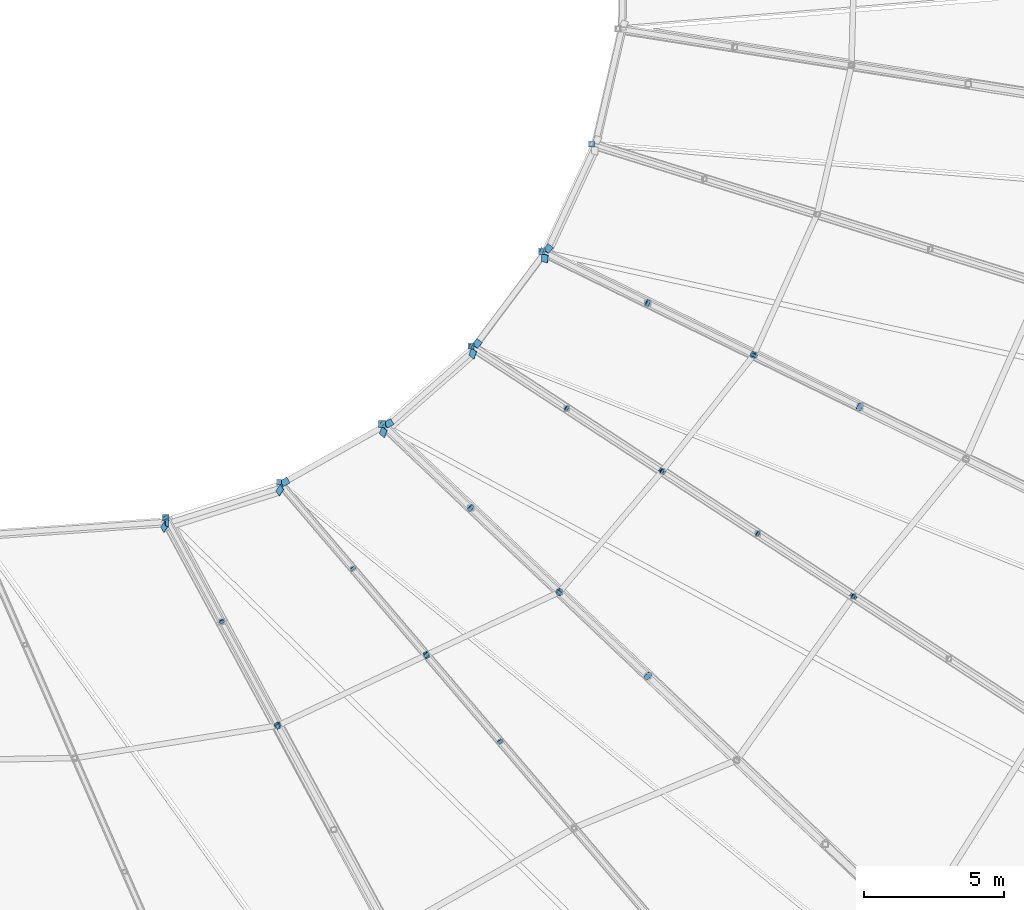
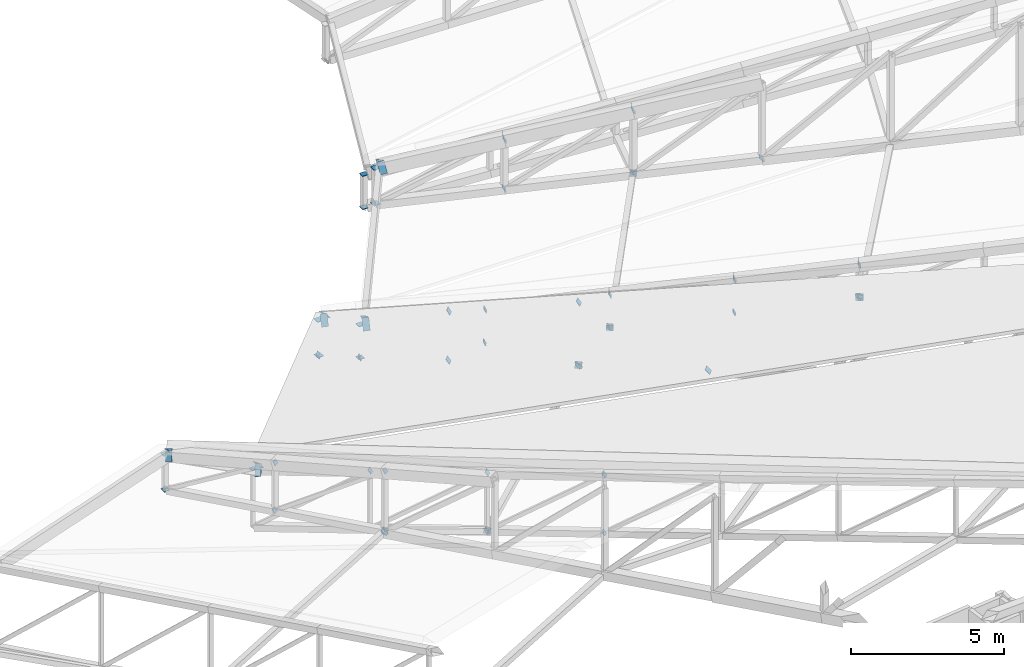
# One storey, part 298 of 344: 64 discrete accessories.
"""IFC4 building model written with IfcOpenShell, lengths in metres."""

from ifc_helpers import new_model, si_unit, direction, frame, origin, origin_2d, place, context, subcontext, project, spatial, rectangle, extrude, material, material_profile, profile_set, type_object, element, save


model = new_model("IFC4")

# Units and contexts
model_context = context("Model", 3, precision=1e-05, world=origin(), true_north=direction((0.0, 1.0)))
body_context = subcontext(model_context, "Body", "Model", "MODEL_VIEW")
ifc_project = project(units=[si_unit("LENGTHUNIT", "METRE"), si_unit("AREAUNIT", "SQUARE_METRE"), si_unit("VOLUMEUNIT", "CUBIC_METRE"), si_unit("PLANEANGLEUNIT", "RADIAN"), si_unit("MASSUNIT", "GRAM", prefix="KILO")], contexts=[model_context])

# Site, building, storey
site_placement = place(None, origin())
site = spatial("IfcSite", under=ifc_project, at=site_placement, CompositionType="ELEMENT")
building_placement = place(site_placement, origin())
building = spatial("IfcBuilding", under=site, at=building_placement, Name="Meseta Stadium", CompositionType="ELEMENT")
storey_placement = place(building_placement, frame((0.0, 0.0, 24.0)))
storey = spatial("IfcBuildingStorey", under=building, at=storey_placement, Name="L04", CompositionType="ELEMENT", Elevation=24.0)

# Discrete accessories
ifc_material_1 = material(Name="Steel S355", Category="steel")
ifc_material_profile_1 = material_profile(ifc_material_1, rectangle(XDim=0.179931640625, YDim=0.179931640625, at=origin_2d()), Name="PL 180x180")
ifc_profile_set_1 = profile_set([ifc_material_profile_1], Name="Steel S355")
discrete_accessory_type_1 = type_object("IfcDiscreteAccessoryType", Name="End plate 180x180x20", PredefinedType="ANCHORPLATE", material=ifc_profile_set_1)
for number, where, z_axis, x_axis, name in (
    (1, (30.674072265625, -65.08544921875, 1.933837890625), (0.404398403532, -0.74752432168, 0.526943374299), (0.879543446111, 0.475818585601, 0.0), "End plate of ROOF TRUSS RT-50 diagonal"),
    (2, (32.68212890625, -68.813232421875, 4.560791015625), (0.401782273078, -0.742688444175, 0.535709697438), (0.879543446111, 0.475818585601, 0.0), "End plate of ROOF TRUSS RT-50 diagonal"),
    (3, (32.674560546875, -68.799072265625, 2.64599609375), (0.377992569235, -0.707211903729, 0.597472125565), (0.881931668673, 0.471377271187, 0.0), "End plate of ROOF TRUSS RT-50 diagonal"),
    (4, (34.68212890625, -72.526123046875, 5.77734375), (0.388371251002, -0.703922892442, 0.594693478097), (0.875577684027, 0.483077342911, 0.0), "End plate of ROOF TRUSS RT-50 diagonal"),
    (5, (34.722412109375, -63.827392578125, 0.56640625), (0.0, 0.0, 1.0), (1.0, 0.0, 0.0), "End plate of ROOF TRUSS RT-51 post"),
    (6, (37.35693359375, -66.916748046875, 1.43896484375), (0.514457157149, -0.600200016674, 0.612448996606), (0.759256602365, 0.650791373456, 0.0), "End plate of ROOF TRUSS RT-51 diagonal"),
):
    element("IfcDiscreteAccessory", number, at=place(storey_placement, frame(where, z_axis=z_axis, x_axis=x_axis)), inside=storey, type_object=discrete_accessory_type_1, Name=name, PredefinedType="ANCHORPLATE", context=body_context, shape_type="SweptSolid", body=[
        extrude(rectangle(XDim=0.179931640625, YDim=0.179931640625, at=origin_2d()), origin(), (0.0, 0.0, 1.0), 0.02001953125),
    ])
discrete_accessory_1_placement = place(storey_placement, frame((39.99169921875, -70.005859375, 2.311279296875), z_axis=(0.506907853303, -0.603461730123, 0.615530964726), x_axis=(0.76570486479, 0.643192086423, 0.0)))
element("IfcDiscreteAccessory", 7, at=discrete_accessory_1_placement, inside=storey, type_object=discrete_accessory_type_1, Name="End plate of ROOF TRUSS RT-51 diagonal", PredefinedType="ANCHORPLATE", context=body_context, shape_type="SweptSolid", body=[
    extrude(rectangle(XDim=0.179931640625, YDim=0.179931640625, at=origin_2d()), origin(), (0.0, 0.0, 1.0), 0.020263671875),
])
for number, where, z_axis, x_axis, name in (
    (8, (39.9814453125, -69.993896484375, -0.0009765625), (0.514457157149, -0.600200016674, 0.612448996606), (0.759256602365, 0.650791373456, 0.0), "End plate of ROOF TRUSS RT-51 diagonal"),
    (9, (42.626220703125, -73.09521484375, 3.183837890625), (0.514457157149, -0.600200016674, 0.612448996606), (0.759256602365, 0.650791373456, 0.0), "End plate of ROOF TRUSS RT-51 diagonal"),
    (10, (42.615966796875, -73.083251953125, 0.871337890625), (0.510602919511, -0.595703406096, 0.620017830835), (0.759256602365, 0.650791373456, 0.0), "End plate of ROOF TRUSS RT-51 diagonal"),
    (11, (41.564697265625, -58.953857421875, -0.34033203125), (0.745790378384, -0.489042871072, 0.452364655741), (0.54835696222, 0.836244367386, 0.0), "End plate of ROOF TRUSS RT-53 diagonal"),
):
    element("IfcDiscreteAccessory", number, at=place(storey_placement, frame(where, z_axis=z_axis, x_axis=x_axis)), inside=storey, type_object=discrete_accessory_type_1, Name=name, PredefinedType="ANCHORPLATE", context=body_context, shape_type="SweptSolid", body=[
        extrude(rectangle(XDim=0.179931640625, YDim=0.179931640625, at=origin_2d()), origin(), (0.0, 0.0, 1.0), 0.02001953125),
    ])
discrete_accessory_2_placement = place(storey_placement, frame((44.994140625, -61.199951171875, 1.727783203125), z_axis=(0.751142776324, -0.48460824279, 0.448262624581), x_axis=(0.542126869822, 0.840296648224, 0.0)))
element("IfcDiscreteAccessory", 12, at=discrete_accessory_2_placement, inside=storey, type_object=discrete_accessory_type_1, Name="End plate of ROOF TRUSS RT-53 diagonal", PredefinedType="ANCHORPLATE", context=body_context, shape_type="SweptSolid", body=[
    extrude(rectangle(XDim=0.179931640625, YDim=0.179931640625, at=origin_2d()), origin(), (0.0, 0.0, 1.0), 0.020263671875),
])
for number, where, z_axis, x_axis, name in (
    (13, (44.979248046875, -61.190185546875, 0.4189453125), (0.745790378384, -0.489042871072, 0.452364655741), (0.54835696222, 0.836244367386, 0.0), "End plate of ROOF TRUSS RT-53 diagonal"),
    (14, (48.408935546875, -63.4365234375, 2.487060546875), (0.745790378384, -0.489042871072, 0.452364655741), (0.54835696222, 0.836244367386, 0.0), "End plate of ROOF TRUSS RT-53 diagonal"),
    (15, (48.39404296875, -63.426513671875, 1.177978515625), (0.741316092871, -0.498261636192, 0.449650744856), (0.557836036894, 0.829951176842, 0.0), "End plate of ROOF TRUSS RT-53 diagonal"),
):
    element("IfcDiscreteAccessory", number, at=place(storey_placement, frame(where, z_axis=z_axis, x_axis=x_axis)), inside=storey, type_object=discrete_accessory_type_1, Name=name, PredefinedType="ANCHORPLATE", context=body_context, shape_type="SweptSolid", body=[
        extrude(rectangle(XDim=0.179931640625, YDim=0.179931640625, at=origin_2d()), origin(), (0.0, 0.0, 1.0), 0.02001953125),
    ])
discrete_accessory_3_placement = place(storey_placement, frame((51.82373046875, -65.6728515625, 3.246337890625), z_axis=(0.749892944856, -0.491733078594, 0.442559770734), x_axis=(0.54835696222, 0.836244367386, 0.0)))
element("IfcDiscreteAccessory", 16, at=discrete_accessory_3_placement, inside=storey, type_object=discrete_accessory_type_1, Name="End plate of ROOF TRUSS RT-53 diagonal", PredefinedType="ANCHORPLATE", context=body_context, shape_type="SweptSolid", body=[
    extrude(rectangle(XDim=0.179931640625, YDim=0.179931640625, at=origin_2d()), origin(), (0.0, 0.0, 1.0), 0.019775390625),
])
discrete_accessory_4_placement = place(storey_placement, frame((51.808837890625, -65.6630859375, 1.937255859375), z_axis=(0.745790378384, -0.489042871072, 0.452364655741), x_axis=(0.54835696222, 0.836244367386, 0.0)))
element("IfcDiscreteAccessory", 17, at=discrete_accessory_4_placement, inside=storey, type_object=discrete_accessory_type_1, Name="End plate of ROOF TRUSS RT-53 diagonal", PredefinedType="ANCHORPLATE", context=body_context, shape_type="SweptSolid", body=[
    extrude(rectangle(XDim=0.179931640625, YDim=0.179931640625, at=origin_2d()), origin(), (0.0, 0.0, 1.0), 0.02001953125),
])
discrete_accessory_5_placement = place(storey_placement, frame((55.23828125, -67.9091796875, 4.00537109375), z_axis=(0.751142776324, -0.48460824279, 0.448262624581), x_axis=(0.542126869822, 0.840296648224, 0.0)))
element("IfcDiscreteAccessory", 18, at=discrete_accessory_5_placement, inside=storey, type_object=discrete_accessory_type_1, Name="End plate of ROOF TRUSS RT-53 diagonal", PredefinedType="ANCHORPLATE", context=body_context, shape_type="SweptSolid", body=[
    extrude(rectangle(XDim=0.179931640625, YDim=0.179931640625, at=origin_2d()), origin(), (0.0, 0.0, 1.0), 0.020263671875),
])
discrete_accessory_6_placement = place(storey_placement, frame((55.223388671875, -67.8994140625, 2.6962890625), z_axis=(0.745790378384, -0.489042871072, 0.452364655741), x_axis=(0.54835696222, 0.836244367386, 0.0)))
element("IfcDiscreteAccessory", 19, at=discrete_accessory_6_placement, inside=storey, type_object=discrete_accessory_type_1, Name="End plate of ROOF TRUSS RT-53 diagonal", PredefinedType="ANCHORPLATE", context=body_context, shape_type="SweptSolid", body=[
    extrude(rectangle(XDim=0.179931640625, YDim=0.179931640625, at=origin_2d()), origin(), (0.0, 0.0, 1.0), 0.02001953125),
])
ifc_material_2 = material(Name="Steel S355", Category="steel")
ifc_material_profile_2 = material_profile(ifc_material_2, rectangle(XDim=0.219970703125, YDim=0.219970703125, at=origin_2d()), Name="PL 220x220")
ifc_profile_set_2 = profile_set([ifc_material_profile_2], Name="Steel S355")
discrete_accessory_type_2 = type_object("IfcDiscreteAccessoryType", Name="End plate 220x220x20", PredefinedType="ANCHORPLATE", material=ifc_profile_set_2)
for number, where, z_axis, x_axis, name in (
    (20, (30.68212890625, -65.100341796875, 1.92431640625), (0.0, 0.0, 1.0), (1.0, 0.0, 0.0), "End plate of ROOF TRUSS RT-50 post"),
    (21, (30.68212890625, -65.100341796875, 3.344482421875), (0.0, 0.0, 1.0), (1.0, 0.0, 0.0), "End plate of ROOF TRUSS RT-50 post"),
):
    element("IfcDiscreteAccessory", number, at=place(storey_placement, frame(where, z_axis=z_axis, x_axis=x_axis)), inside=storey, type_object=discrete_accessory_type_2, Name=name, PredefinedType="ANCHORPLATE", context=body_context, shape_type="SweptSolid", body=[
        extrude(rectangle(XDim=0.219970703125, YDim=0.219970703125, at=origin_2d()), origin(), (0.0, 0.0, 1.0), 0.02001953125),
    ])
discrete_accessory_7_placement = place(storey_placement, frame((34.675048828125, -72.512939453125, 3.358642578125), z_axis=(0.357888347741, -0.666412785448, 0.65407180794), x_axis=(0.880994429299, 0.473126637957, 0.0)))
element("IfcDiscreteAccessory", 22, at=discrete_accessory_7_placement, inside=storey, type_object=discrete_accessory_type_2, Name="End plate of ROOF TRUSS RT-50 diagonal", PredefinedType="ANCHORPLATE", context=body_context, shape_type="SweptSolid", body=[
    extrude(rectangle(XDim=0.219970703125, YDim=0.219970703125, at=origin_2d()), origin(), (0.0, 0.0, 1.0), 0.019775390625),
])
for number, where, z_axis, x_axis, name in (
    (23, (38.3935546875, -61.740234375, 2.548828125), (0.635044198054, -0.598407032782, 0.488495536965), (0.685801146497, 0.727788971793, 0.0), "End plate of ROOF TRUSS RT-52 diagonal"),
    (24, (41.57177734375, -64.754638671875, 5.02294921875), (0.631242768632, -0.594824916596, 0.497710644498), (0.685801146497, 0.727788971793, 0.0), "End plate of ROOF TRUSS RT-52 diagonal"),
    (25, (41.559814453125, -64.7431640625, 3.0595703125), (0.597472125565, -0.573085508195, 0.56089219951), (0.692225183729, 0.721681574526, 0.0), "End plate of ROOF TRUSS RT-52 diagonal"),
    (26, (44.7373046875, -67.7568359375, 6.087646484375), (0.597472125565, -0.573085508195, 0.56089219951), (0.692225183729, 0.721681574526, 0.0), "End plate of ROOF TRUSS RT-52 diagonal"),
    (27, (44.72607421875, -67.746337890625, 3.570556640625), (0.563284074751, -0.526548156832, 0.636755910588), (0.682883878065, 0.730526939325, 0.0), "End plate of ROOF TRUSS RT-52 diagonal"),
    (28, (41.57958984375, -58.963623046875, -0.351318359375), (0.0, 0.0, 1.0), (1.0, 0.0, 0.0), "End plate of ROOF TRUSS RT-53 post"),
    (29, (41.57958984375, -58.963623046875, 0.96875), (0.0, 0.0, 1.0), (1.0, 0.0, 0.0), "End plate of ROOF TRUSS RT-53 post"),
    (30, (44.09228515625, -55.5732421875, 2.86865234375), (0.78905346079, -0.376317804377, 0.485571360486), (0.430472524882, 0.902603681203, 0.0), "End plate of ROOF TRUSS RT-54 diagonal"),
    (31, (47.895751953125, -57.435546875, 5.2216796875), (0.793686884002, -0.378527590832, 0.476212130401), (0.430472524882, 0.902603681203, 0.0), "End plate of ROOF TRUSS RT-54 diagonal"),
):
    element("IfcDiscreteAccessory", number, at=place(storey_placement, frame(where, z_axis=z_axis, x_axis=x_axis)), inside=storey, type_object=discrete_accessory_type_2, Name=name, PredefinedType="ANCHORPLATE", context=body_context, shape_type="SweptSolid", body=[
        extrude(rectangle(XDim=0.219970703125, YDim=0.219970703125, at=origin_2d()), origin(), (0.0, 0.0, 1.0), 0.02001953125),
    ])
discrete_accessory_8_placement = place(storey_placement, frame((47.881103515625, -57.42822265625, 3.262939453125), z_axis=(0.737655359407, -0.368827679704, 0.565535775546), x_axis=(0.4472135955, 0.894427191, 0.0)))
element("IfcDiscreteAccessory", 32, at=discrete_accessory_8_placement, inside=storey, type_object=discrete_accessory_type_2, Name="End plate of ROOF TRUSS RT-54 diagonal", PredefinedType="ANCHORPLATE", context=body_context, shape_type="SweptSolid", body=[
    extrude(rectangle(XDim=0.219970703125, YDim=0.219970703125, at=origin_2d()), origin(), (0.0, 0.0, 1.0), 0.019775390625),
])
for number, where, z_axis, x_axis, name in (
    (33, (51.68359375, -59.2900390625, 6.164794921875), (0.743184359651, -0.365500504746, 0.560434107278), (0.441319655469, 0.897349966121, 0.0), "End plate of ROOF TRUSS RT-54 diagonal"),
    (34, (51.669677734375, -59.283203125, 3.657470703125), (0.694450959018, -0.34113380443, 0.633534208227), (0.440903879653, 0.897554326437, 0.0), "End plate of ROOF TRUSS RT-54 diagonal"),
    (35, (45.883544921875, -51.749267578125, -0.241455078125), (0.0, 0.0, 1.0), (1.0, 0.0, 0.0), "End plate of ROOF TRUSS RT-55 post"),
    (36, (45.883544921875, -51.749267578125, 1.07861328125), (0.0, 0.0, 1.0), (1.0, 0.0, 0.0), "End plate of ROOF TRUSS RT-55 post"),
):
    element("IfcDiscreteAccessory", number, at=place(storey_placement, frame(where, z_axis=z_axis, x_axis=x_axis)), inside=storey, type_object=discrete_accessory_type_2, Name=name, PredefinedType="ANCHORPLATE", context=body_context, shape_type="SweptSolid", body=[
        extrude(rectangle(XDim=0.219970703125, YDim=0.219970703125, at=origin_2d()), origin(), (0.0, 0.0, 1.0), 0.02001953125),
    ])
ifc_material_3 = material(Name="Steel S355", Category="steel")
ifc_material_profile_3 = material_profile(ifc_material_3, rectangle(XDim=0.239990234375, YDim=0.239990234375, at=origin_2d()), Name="PL 240x240")
ifc_profile_set_3 = profile_set([ifc_material_profile_3], Name="Steel S355")
discrete_accessory_type_3 = type_object("IfcDiscreteAccessoryType", Name="End plate 240x240x20", PredefinedType="ANCHORPLATE", material=ifc_profile_set_3)
for number, where, z_axis, x_axis, name in (
    (37, (38.40625, -61.752197265625, 2.53857421875), (0.0, 0.0, 1.0), (1.0, 0.0, 0.0), "End plate of ROOF TRUSS RT-52 post"),
    (38, (38.40625, -61.752197265625, 3.95849609375), (0.0, 0.0, 1.0), (1.0, 0.0, 0.0), "End plate of ROOF TRUSS RT-52 post"),
    (39, (47.892578125, -70.749267578125, 4.081787109375), (0.522258646194, -0.497967546371, 0.692296344954), (0.690075333573, 0.723737544967, 0.0), "End plate of ROOF TRUSS RT-52 diagonal"),
    (40, (44.108154296875, -55.580810546875, 2.8583984375), (0.0, 0.0, 1.0), (1.0, 0.0, 0.0), "End plate of ROOF TRUSS RT-54 post"),
    (41, (44.108154296875, -55.580810546875, 4.278564453125), (0.0, 0.0, 1.0), (1.0, 0.0, 0.0), "End plate of ROOF TRUSS RT-54 post"),
):
    element("IfcDiscreteAccessory", number, at=place(storey_placement, frame(where, z_axis=z_axis, x_axis=x_axis)), inside=storey, type_object=discrete_accessory_type_3, Name=name, PredefinedType="ANCHORPLATE", context=body_context, shape_type="SweptSolid", body=[
        extrude(rectangle(XDim=0.239990234375, YDim=0.239990234375, at=origin_2d()), origin(), (0.0, 0.0, 1.0), 0.02001953125),
    ])
discrete_accessory_9_placement = place(storey_placement, frame((55.458251953125, -61.13818359375, 4.052001953125), z_axis=(0.652880901631, -0.314350063748, 0.689152062833), x_axis=(0.433815618773, 0.901001669759, 0.0)))
element("IfcDiscreteAccessory", 42, at=discrete_accessory_9_placement, inside=storey, type_object=discrete_accessory_type_3, Name="End plate of ROOF TRUSS RT-54 diagonal", PredefinedType="ANCHORPLATE", context=body_context, shape_type="SweptSolid", body=[
    extrude(rectangle(XDim=0.239990234375, YDim=0.239990234375, at=origin_2d()), origin(), (0.0, 0.0, 1.0), 0.020263671875),
])
for number, where, z_axis, x_axis, name in (
    (43, (34.68212890625, -72.526123046875, 3.37158203125), (0.914226343328, 0.146276214932, 0.377880221909), (-0.157990501107, 0.987440631917, 0.0), "End plate of ROOF TRUSS STRUT RT-49/50"),
    (44, (34.66650390625, -72.53369140625, 3.381591796875), (0.77967654701, 0.377655827458, -0.499480287928), (-0.435928453727, 0.899981323824, 0.0), "End plate of ROOF TRUSS STRUT RT-50/51"),
    (45, (39.99169921875, -70.005859375, 0.01123046875), (0.783229949511, 0.367139038833, -0.501756686406), (-0.424433876231, 0.905458935959, 0.0), "End plate of ROOF TRUSS STRUT RT-50/51"),
    (46, (39.976806640625, -70.012939453125, 0.0), (0.746460149851, 0.35487449747, 0.562904375298), (-0.429358789068, 0.903134004592, 0.0), "End plate of ROOF TRUSS STRUT RT-51/52"),
    (47, (44.7373046875, -67.7568359375, 3.583251953125), (0.751805159854, 0.351650800577, 0.557790925053), (-0.423685108901, 0.905809543169, 0.0), "End plate of ROOF TRUSS STRUT RT-51/52"),
    (48, (44.7255859375, -67.77099609375, 3.591064453125), (0.586763744255, 0.709006190975, -0.391175829503), (-0.770394321125, 0.637567714034, 0.0), "End plate of ROOF TRUSS STRUT RT-52/53"),
    (49, (48.408935546875, -63.4365234375, 1.18701171875), (0.594693478097, 0.703922892442, -0.388371251002), (-0.763885625546, 0.645351649168, 0.0), "End plate of ROOF TRUSS STRUT RT-52/53"),
    (50, (48.397705078125, -63.45068359375, 1.178466796875), (0.56176986751, 0.708318528599, 0.427433594844), (-0.78349767909, 0.621394711002, 0.0), "End plate of ROOF TRUSS STRUT RT-53/54"),
):
    element("IfcDiscreteAccessory", number, at=place(storey_placement, frame(where, z_axis=z_axis, x_axis=x_axis)), inside=storey, type_object=discrete_accessory_type_3, Name=name, PredefinedType="ANCHORPLATE", context=body_context, shape_type="SweptSolid", body=[
        extrude(rectangle(XDim=0.239990234375, YDim=0.239990234375, at=origin_2d()), origin(), (0.0, 0.0, 1.0), 0.02001953125),
    ])
discrete_accessory_10_placement = place(storey_placement, frame((51.68359375, -59.2900390625, 3.670166015625), z_axis=(0.564682908561, 0.711991493403, 0.417374323719), x_axis=(-0.78349767909, 0.621394711002, 0.0)))
element("IfcDiscreteAccessory", 51, at=discrete_accessory_10_placement, inside=storey, type_object=discrete_accessory_type_3, Name="End plate of ROOF TRUSS STRUT RT-53/54", PredefinedType="ANCHORPLATE", context=body_context, shape_type="SweptSolid", body=[
    extrude(rectangle(XDim=0.239990234375, YDim=0.239990234375, at=origin_2d()), origin(), (0.0, 0.0, 1.0), 0.019775390625),
])
discrete_accessory_11_placement = place(storey_placement, frame((51.676025390625, -59.306884765625, 3.677978515625), z_axis=(0.377431832286, 0.840090207346, -0.389607052682), x_axis=(-0.912168696111, 0.409814921441, 0.0)))
element("IfcDiscreteAccessory", 52, at=discrete_accessory_11_placement, inside=storey, type_object=discrete_accessory_type_3, Name="End plate of ROOF TRUSS STRUT RT-54/55", PredefinedType="ANCHORPLATE", context=body_context, shape_type="SweptSolid", body=[
    extrude(rectangle(XDim=0.239990234375, YDim=0.239990234375, at=origin_2d()), origin(), (0.0, 0.0, 1.0), 0.02001953125),
])
ifc_material_4 = material(Name="Steel S355", Category="steel")
ifc_material_profile_4 = material_profile(ifc_material_4, rectangle(XDim=0.239990234375, YDim=0.43994140625, at=origin_2d()), Name="PL 240x440")
ifc_profile_set_4 = profile_set([ifc_material_profile_4], Name="Steel S355")
discrete_accessory_type_4 = type_object("IfcDiscreteAccessoryType", Name="End plate 240x440x20", PredefinedType="ANCHORPLATE", material=ifc_profile_set_4)
for number, where, z_axis, x_axis, name in (
    (53, (30.703125, -65.289794921875, 3.4228515625), (0.964634828249, 0.061052837231, 0.25642191637), (-0.014887423143, 0.983872550083, -0.178250301053), "End plate of TIP RING BEAM 50"),
    (54, (30.629638671875, -65.419189453125, 3.503662109375), (0.804339928716, 0.255926340955, -0.536226619144), (-0.479488877137, 0.812557751053, -0.331421661794), "End plate of TIP RING BEAM 51"),
    (55, (34.74951171875, -64.12109375, 0.689208984375), (0.794635277929, 0.256728320562, -0.550132115489), (-0.488286411393, 0.808742860235, -0.327889259458), "End plate of TIP RING BEAM 51"),
    (56, (34.927978515625, -63.830078125, 0.6533203125), (0.684251023036, 0.378781816324, 0.623157181694), (-0.480605011789, 0.876921122353, -0.005307335936), "End plate of TIP RING BEAM 52"),
    (57, (38.640380859375, -61.739013671875, 4.06396484375), (0.681055585504, 0.389174620288, 0.620247051084), (-0.492473062763, 0.870311408639, -0.005323011015), "End plate of TIP RING BEAM 52"),
    (58, (38.444091796875, -62.046875, 4.106201171875), (0.613369973061, 0.539765576293, -0.576567774677), (-0.76050773819, 0.600605166458, -0.246782118837), "End plate of TIP RING BEAM 53"),
    (59, (41.641357421875, -59.2373046875, 1.1259765625), (0.620936240212, 0.535709697438, -0.572235358627), (-0.753589742221, 0.608890000901, -0.247700357736), "End plate of TIP RING BEAM 53"),
    (60, (41.797607421875, -58.892333984375, 1.099365234375), (0.475574393463, 0.634099191284, 0.60971076085), (-0.774878441398, 0.630060981816, -0.050858236799), "End plate of TIP RING BEAM 54"),
    (61, (44.332763671875, -55.50048828125, 4.3798828125), (0.475574393463, 0.634099191284, 0.60971076085), (-0.774878441398, 0.630060981816, -0.050858236799), "End plate of TIP RING BEAM 54"),
    (62, (44.214599609375, -55.84130859375, 4.40966796875), (0.342945711704, 0.722635606805, -0.600154995482), (-0.937749362095, 0.300715730052, -0.173770491134), "End plate of TIP RING BEAM 55"),
):
    element("IfcDiscreteAccessory", number, at=place(storey_placement, frame(where, z_axis=z_axis, x_axis=x_axis)), inside=storey, type_object=discrete_accessory_type_4, Name=name, PredefinedType="ANCHORPLATE", context=body_context, shape_type="SweptSolid", body=[
        extrude(rectangle(XDim=0.239990234375, YDim=0.43994140625, at=origin_2d()), origin(), (0.0, 0.0, 1.0), 0.02001953125),
    ])
ifc_material_5 = material(Name="Steel S355", Category="steel")
ifc_material_profile_5 = material_profile(ifc_material_5, rectangle(XDim=0.260009765625, YDim=0.260009765625, at=origin_2d()), Name="PL 260x260")
ifc_profile_set_5 = profile_set([ifc_material_profile_5], Name="Steel S355")
discrete_accessory_type_5 = type_object("IfcDiscreteAccessoryType", Name="End plate 260x260x20", PredefinedType="ANCHORPLATE", material=ifc_profile_set_5)
for number, where, z_axis, x_axis, name in (
    (63, (55.23828125, -67.9091796875, 2.705322265625), (0.558571713557, 0.789286116983, -0.255000130102), (-0.816271211705, 0.577668857514, 0.0), "End plate of ROOF TRUSS STRUT RT-52/53"),
    (64, (55.22607421875, -67.924072265625, 2.699951171875), (0.610619421206, 0.744955693871, 0.268672545331), (-0.77339210496, 0.633927954885, 0.0), "End plate of ROOF TRUSS STRUT RT-53/54"),
):
    element("IfcDiscreteAccessory", number, at=place(storey_placement, frame(where, z_axis=z_axis, x_axis=x_axis)), inside=storey, type_object=discrete_accessory_type_5, Name=name, PredefinedType="ANCHORPLATE", context=body_context, shape_type="SweptSolid", body=[
        extrude(rectangle(XDim=0.260009765625, YDim=0.260009765625, at=origin_2d()), origin(), (0.0, 0.0, 1.0), 0.02001953125),
    ])

save(model, "model.ifc")
